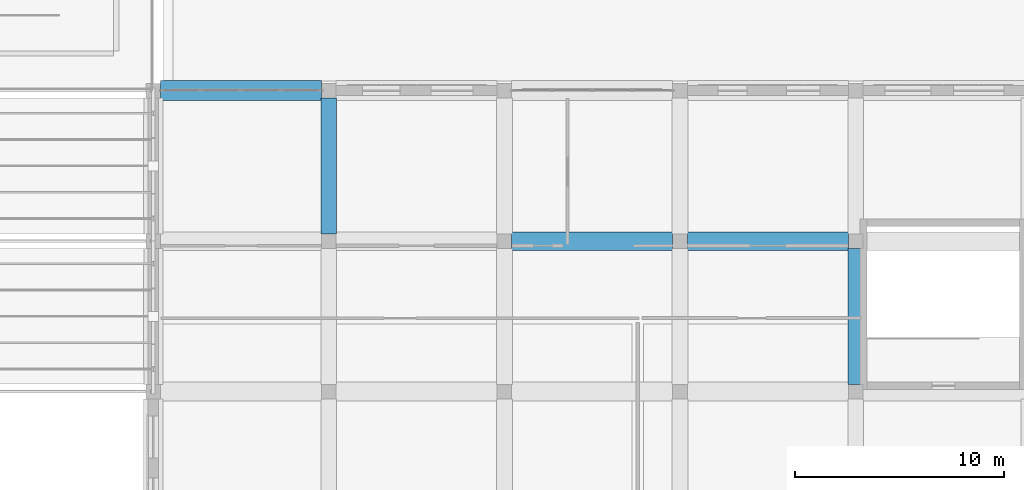
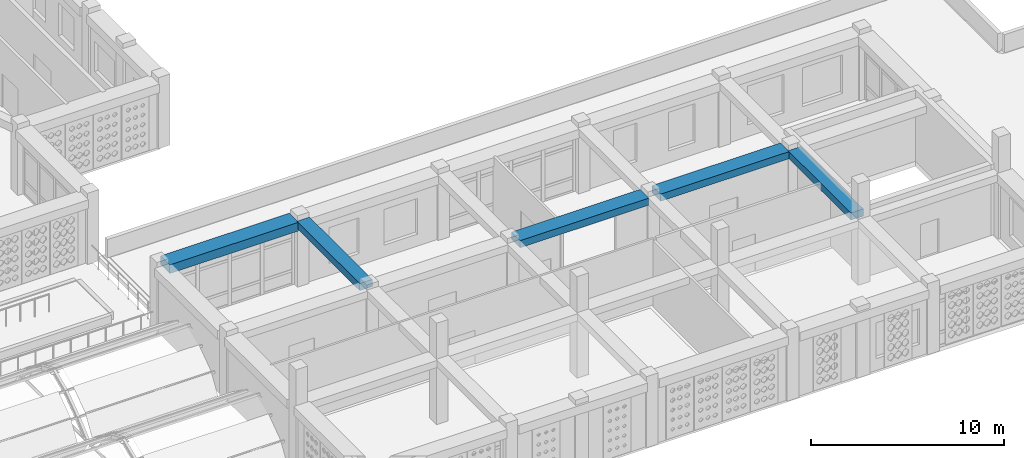
# One storey, part 18 of 100: 5 beams.
"""IFC4 building model written with IfcOpenShell, lengths in metres."""

from ifc_helpers import new_model, si_unit, derived_unit, direction, frame, origin, origin_2d, place, context, subcontext, project, spatial, rectangle, extrude, material, material_profile, profile_set, type_object, element, save


model = new_model("IFC4")

# Units and contexts
model_context = context("Model", 3, precision=1e-05, world=origin(), true_north=direction((0.0, 1.0)))
body_context = subcontext(model_context, "Body", "Model", "MODEL_VIEW")
ifc_project = project(units=[si_unit("LENGTHUNIT", "METRE"), si_unit("AREAUNIT", "SQUARE_METRE"), si_unit("VOLUMEUNIT", "CUBIC_METRE"), si_unit("PLANEANGLEUNIT", "RADIAN"), si_unit("MASSUNIT", "GRAM", prefix="KILO"), derived_unit("THERMALTRANSMITTANCEUNIT", [(si_unit("POWERUNIT", "WATT"), 1), (si_unit("LENGTHUNIT", "METRE"), -2), (si_unit("THERMODYNAMICTEMPERATUREUNIT", "KELVIN"), -1)])], contexts=[model_context])

# Site, building, storey
site_placement = place(None, origin())
site = spatial("IfcSite", under=ifc_project, at=site_placement, CompositionType="ELEMENT")
building_placement = place(site_placement, origin())
building = spatial("IfcBuilding", under=site, at=building_placement, Name="Veybourne Emporium", CompositionType="ELEMENT")
storey_placement = place(building_placement, frame((0.0, 0.0, 14.39990234375)))
storey = spatial("IfcBuildingStorey", under=building, at=storey_placement, Name="L03", CompositionType="ELEMENT", Elevation=14.39990234375)

# Beams
ifc_material = material(Name="Concrete C32/40", Category="concrete")
ifc_material_profile_1 = material_profile(ifc_material, rectangle(XDim=0.89990234375, YDim=0.449951171875, at=origin_2d()), Name="RC 900x450")
ifc_profile_set_1 = profile_set([ifc_material_profile_1], Name="Concrete C32/40")
beam_type_1 = type_object("IfcBeamType", Name="RCBeam_BB-03", PredefinedType="BEAM", material=ifc_profile_set_1)
for number, where, z_axis, x_axis, name in (
    (1, (109.550048828125, 14.39990234375, 3.955078125), (1.0, 0.0, 0.0), (0.0, 1.0, 0.0), "L03 X-grid beam BB-03 (13,2)"),
    (2, (117.949951171875, 14.39990234375, 3.955078125), (1.0, 0.0, 0.0), (0.0, 1.0, 0.0), "L03 X-grid beam BB-03 (14,2)"),
):
    element("IfcBeam", number, at=place(storey_placement, frame(where, z_axis=z_axis, x_axis=x_axis)), inside=storey, type_object=beam_type_1, Name=name, PredefinedType="BEAM", context=body_context, shape_type="SweptSolid", body=[
        extrude(rectangle(XDim=0.89990234375, YDim=0.449951171875, at=origin_2d()), origin(), (0.0, 0.0, 1.0), 7.699951171875),
    ])
ifc_material_profile_2 = material_profile(ifc_material, rectangle(XDim=0.75, YDim=0.449951171875, at=origin_2d()), Name="RC 750x450")
ifc_profile_set_2 = profile_set([ifc_material_profile_2], Name="Concrete C32/40")
beam_type_2 = type_object("IfcBeamType", Name="RCBeam_BB-04", PredefinedType="BEAM", material=ifc_profile_set_2)
for number, where, z_axis, x_axis, name in (
    (3, (100.800048828125, 14.75, 3.955078125), (0.0, 1.0, 0.0), (-1.0, 0.0, 0.0), "L03 Y-grid beam BB-04 (12,2)"),
    (4, (126.0, 7.550048828125, 3.955078125), (0.0, 1.0, 0.0), (-1.0, 0.0, 0.0), "L03 Y-grid beam BB-04 (15,1)"),
):
    element("IfcBeam", number, at=place(storey_placement, frame(where, z_axis=z_axis, x_axis=x_axis)), inside=storey, type_object=beam_type_2, Name=name, PredefinedType="BEAM", context=body_context, shape_type="SweptSolid", body=[
        extrude(rectangle(XDim=0.75, YDim=0.449951171875, at=origin_2d()), origin(), (0.0, 0.0, 1.0), 6.5),
    ])
ifc_material_profile_3 = material_profile(ifc_material, rectangle(XDim=0.949951171875, YDim=0.550048828125, at=origin_2d()), Name="RC 950x550")
ifc_profile_set_3 = profile_set([ifc_material_profile_3], Name="Concrete C32/40")
beam_type_3 = type_object("IfcBeamType", Name="RCBeam_EB-01", PredefinedType="SPANDREL", material=ifc_profile_set_3)
beam_placement = place(storey_placement, frame((92.75, 21.60009765625, 3.905029296875), z_axis=(1.0, 0.0, 0.0), x_axis=(0.0, 1.0, 0.0)))
element("IfcBeam", 5, at=beam_placement, inside=storey, type_object=beam_type_3, Name="L03 X-grid beam EB-01 (11,3)", PredefinedType="SPANDREL", context=body_context, shape_type="SweptSolid", body=[
    extrude(rectangle(XDim=0.949951171875, YDim=0.550048828125, at=origin_2d()), origin(), (0.0, 0.0, 1.0), 7.699951171875),
])

save(model, "model.ifc")
